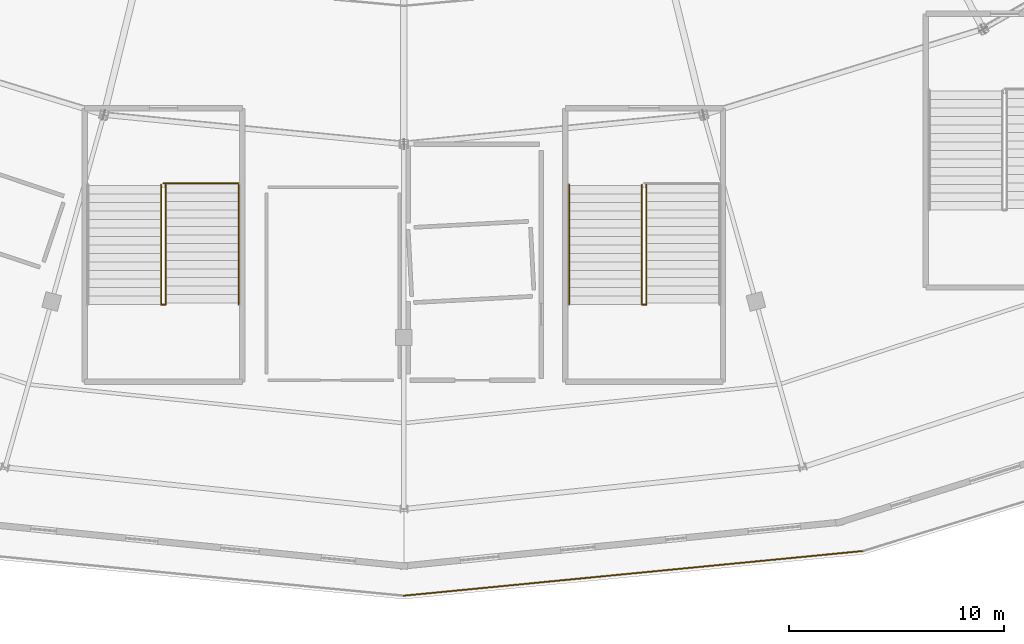
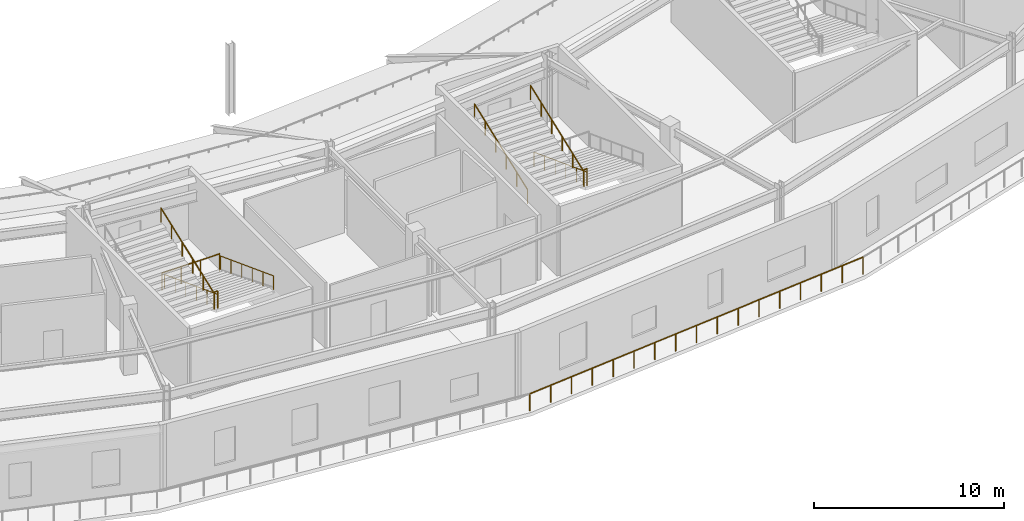
# One storey, part 49 of 63: 10 railings.
"""IFC4 building model written with IfcOpenShell, lengths in metres."""

from ifc_helpers import new_model, si_unit, direction, frame, origin, origin_2d, place, context, subcontext, project, spatial, circle, extrude, material, type_object, element, save


model = new_model("IFC4")

# Units and contexts
model_context = context("Model", 3, precision=1e-05, world=origin(), true_north=direction((0.0, 1.0)))
body_context = subcontext(model_context, "Body", "Model", "MODEL_VIEW")
ifc_project = project(units=[si_unit("LENGTHUNIT", "METRE"), si_unit("AREAUNIT", "SQUARE_METRE"), si_unit("VOLUMEUNIT", "CUBIC_METRE"), si_unit("PLANEANGLEUNIT", "RADIAN"), si_unit("MASSUNIT", "GRAM", prefix="KILO")], contexts=[model_context])

# Site, building, storey
site_placement = place(None, origin())
site = spatial("IfcSite", under=ifc_project, at=site_placement, CompositionType="ELEMENT")
building_placement = place(site_placement, origin())
building = spatial("IfcBuilding", under=site, at=building_placement, Name="Kalgoora Escarpment Arena", CompositionType="ELEMENT")
storey_placement = place(building_placement, frame((0.0, 0.0, 14.39990234375)))
storey = spatial("IfcBuildingStorey", under=building, at=storey_placement, Name="L03", CompositionType="ELEMENT", Elevation=14.39990234375)

# Railings
ifc_material_1 = material(Name="Galvanised & powdercoated tubular steel", Category="steel")
railing_type_1 = type_object("IfcRailingType", Name="RAL-GUARD-1120", PredefinedType="GUARDRAIL", material=ifc_material_1)
railing_1_placement = place(storey_placement, frame((81.300048828125, 16.52001953125, 2.25)))
element("IfcRailing", 1, at=railing_1_placement, inside=storey, type_object=railing_type_1, Name="ST14 L03 half-landing well guard", PredefinedType="GUARDRAIL", context=body_context, shape_type="SweptSolid", body=[
    extrude(circle(Radius=0.02392578125, at=origin_2d()), frame((0.0, 0.0, 1.09619140625), z_axis=(-1.0, 0.0, 0.0), x_axis=(0.0, -1.0, 0.0)), (0.0, 0.0, 1.0), 0.199951171875),
    extrude(circle(Radius=0.02099609375, at=origin_2d()), origin(), (0.0, 0.0, 1.0), 1.072021484375),
    extrude(circle(Radius=0.02099609375, at=origin_2d()), frame((-0.199951171875, 0.0, 0.0)), (0.0, 0.0, 1.0), 1.072021484375),
])
railing_2_placement = place(storey_placement, frame((84.68994140625, 22.18994140625, 0.0)))
element("IfcRailing", 2, at=railing_2_placement, inside=storey, type_object=railing_type_1, Name="ST14 L03 floor landing well guard", PredefinedType="GUARDRAIL", context=body_context, shape_type="SweptSolid", body=[
    extrude(circle(Radius=0.02392578125, at=origin_2d()), frame((0.0, 0.0, 1.09619140625), z_axis=(-1.0, 0.0, 0.0), x_axis=(0.0, -1.0, 0.0)), (0.0, 0.0, 1.0), 3.489990234375),
    extrude(circle(Radius=0.02099609375, at=origin_2d()), origin(), (0.0, 0.0, 1.0), 1.072021484375),
    extrude(circle(Radius=0.02099609375, at=origin_2d()), frame((-1.163330078125, 0.0, 0.0)), (0.0, 0.0, 1.0), 1.072021484375),
    extrude(circle(Radius=0.02099609375, at=origin_2d()), frame((-2.32666015625, 0.0, 0.0)), (0.0, 0.0, 1.0), 1.072021484375),
    extrude(circle(Radius=0.02099609375, at=origin_2d()), frame((-3.489990234375, 0.0, 0.0)), (0.0, 0.0, 1.0), 1.072021484375),
])
railing_3_placement = place(storey_placement, frame((103.695068359375, 16.52001953125, 2.25)))
element("IfcRailing", 3, at=railing_3_placement, inside=storey, type_object=railing_type_1, Name="ST15 L03 half-landing well guard", PredefinedType="GUARDRAIL", context=body_context, shape_type="SweptSolid", body=[
    extrude(circle(Radius=0.02392578125, at=origin_2d()), frame((0.0, 0.0, 1.09619140625), z_axis=(-1.0, 0.0, 0.0), x_axis=(0.0, -1.0, 0.0)), (0.0, 0.0, 1.0), 0.190185546875),
    extrude(circle(Radius=0.02099609375, at=origin_2d()), origin(), (0.0, 0.0, 1.0), 1.072021484375),
    extrude(circle(Radius=0.02099609375, at=origin_2d()), frame((-0.190185546875, 0.0, 0.0)), (0.0, 0.0, 1.0), 1.072021484375),
])
ifc_material_2 = material(Name="Brushed stainless steel 316 handrail", Category="steel")
railing_type_2 = type_object("IfcRailingType", Name="RAL-HAND-920", PredefinedType="HANDRAIL", material=ifc_material_2)
for number, where, name in (
    (4, (84.699951171875, 22.110107421875, 0.110107421875), "ST14 L03 pitched stair handrail F1L"),
    (5, (81.31005859375, 22.110107421875, 0.110107421875), "ST14 L03 pitched stair handrail F1R"),
):
    element("IfcRailing", number, at=place(storey_placement, frame(where)), inside=storey, type_object=railing_type_2, Name=name, PredefinedType="HANDRAIL", context=body_context, shape_type="SweptSolid", body=[
        extrude(circle(Radius=0.02392578125, at=origin_2d()), frame((0.0, 0.0, 0.89599609375), z_axis=(0.0, -0.935492612948, 0.353346248203), x_axis=(1.0, 0.0, 0.0)), (0.0, 0.0, 1.0), 5.943359375),
        extrude(circle(Radius=0.02099609375, at=origin_2d()), origin(), (0.0, 0.0, 1.0), 0.871826171875),
        extrude(circle(Radius=0.02099609375, at=origin_2d()), frame((0.0, -1.112060546875, 0.419921875)), (0.0, 0.0, 1.0), 0.871826171875),
        extrude(circle(Radius=0.02099609375, at=origin_2d()), frame((0.0, -2.22412109375, 0.840087890625)), (0.0, 0.0, 1.0), 0.871826171875),
        extrude(circle(Radius=0.02099609375, at=origin_2d()), frame((0.0, -3.3359375, 1.260009765625)), (0.0, 0.0, 1.0), 0.871826171875),
        extrude(circle(Radius=0.02099609375, at=origin_2d()), frame((0.0, -4.447998046875, 1.68017578125)), (0.0, 0.0, 1.0), 0.871826171875),
        extrude(circle(Radius=0.02099609375, at=origin_2d()), frame((0.0, -5.56005859375, 2.10009765625)), (0.0, 0.0, 1.0), 0.871826171875),
    ])
railing_4_placement = place(storey_placement, frame((81.090087890625, 16.550048828125, 2.360107421875)))
element("IfcRailing", 6, at=railing_4_placement, inside=storey, type_object=railing_type_2, Name="ST14 L03 pitched stair handrail F2L", PredefinedType="HANDRAIL", context=body_context, shape_type="SweptSolid", body=[
    extrude(circle(Radius=0.02392578125, at=origin_2d()), frame((0.0, 0.0, 0.89599609375), z_axis=(0.0, 0.935492612948, 0.353346248203), x_axis=(-1.0, 0.0, 0.0)), (0.0, 0.0, 1.0), 5.943359375),
    extrude(circle(Radius=0.02099609375, at=origin_2d()), origin(), (0.0, 0.0, 1.0), 0.871826171875),
    extrude(circle(Radius=0.02099609375, at=origin_2d()), frame((0.0, 1.112060546875, 0.419921875)), (0.0, 0.0, 1.0), 0.871826171875),
    extrude(circle(Radius=0.02099609375, at=origin_2d()), frame((0.0, 2.22412109375, 0.840087890625)), (0.0, 0.0, 1.0), 0.871826171875),
    extrude(circle(Radius=0.02099609375, at=origin_2d()), frame((0.0, 3.3359375, 1.260009765625)), (0.0, 0.0, 1.0), 0.871826171875),
    extrude(circle(Radius=0.02099609375, at=origin_2d()), frame((0.0, 4.447998046875, 1.68017578125)), (0.0, 0.0, 1.0), 0.871826171875),
    extrude(circle(Radius=0.02099609375, at=origin_2d()), frame((0.0, 5.56005859375, 2.10009765625)), (0.0, 0.0, 1.0), 0.871826171875),
])
railing_5_placement = place(storey_placement, frame((103.705078125, 22.110107421875, 0.110107421875)))
element("IfcRailing", 7, at=railing_5_placement, inside=storey, type_object=railing_type_2, Name="ST15 L03 pitched stair handrail F1R", PredefinedType="HANDRAIL", context=body_context, shape_type="SweptSolid", body=[
    extrude(circle(Radius=0.02392578125, at=origin_2d()), frame((0.0, 0.0, 0.89599609375), z_axis=(0.0, -0.935492612948, 0.353346248203), x_axis=(1.0, 0.0, 0.0)), (0.0, 0.0, 1.0), 5.943359375),
    extrude(circle(Radius=0.02099609375, at=origin_2d()), origin(), (0.0, 0.0, 1.0), 0.871826171875),
    extrude(circle(Radius=0.02099609375, at=origin_2d()), frame((0.0, -1.112060546875, 0.419921875)), (0.0, 0.0, 1.0), 0.871826171875),
    extrude(circle(Radius=0.02099609375, at=origin_2d()), frame((0.0, -2.22412109375, 0.840087890625)), (0.0, 0.0, 1.0), 0.871826171875),
    extrude(circle(Radius=0.02099609375, at=origin_2d()), frame((0.0, -3.3359375, 1.260009765625)), (0.0, 0.0, 1.0), 0.871826171875),
    extrude(circle(Radius=0.02099609375, at=origin_2d()), frame((0.0, -4.447998046875, 1.68017578125)), (0.0, 0.0, 1.0), 0.871826171875),
    extrude(circle(Radius=0.02099609375, at=origin_2d()), frame((0.0, -5.56005859375, 2.10009765625)), (0.0, 0.0, 1.0), 0.871826171875),
])
for number, where, name in (
    (8, (103.4951171875, 16.550048828125, 2.360107421875), "ST15 L03 pitched stair handrail F2L"),
    (9, (100.10009765625, 16.550048828125, 2.360107421875), "ST15 L03 pitched stair handrail F2R"),
):
    element("IfcRailing", number, at=place(storey_placement, frame(where)), inside=storey, type_object=railing_type_2, Name=name, PredefinedType="HANDRAIL", context=body_context, shape_type="SweptSolid", body=[
        extrude(circle(Radius=0.02392578125, at=origin_2d()), frame((0.0, 0.0, 0.89599609375), z_axis=(0.0, 0.935492612948, 0.353346248203), x_axis=(-1.0, 0.0, 0.0)), (0.0, 0.0, 1.0), 5.943359375),
        extrude(circle(Radius=0.02099609375, at=origin_2d()), origin(), (0.0, 0.0, 1.0), 0.871826171875),
        extrude(circle(Radius=0.02099609375, at=origin_2d()), frame((0.0, 1.112060546875, 0.419921875)), (0.0, 0.0, 1.0), 0.871826171875),
        extrude(circle(Radius=0.02099609375, at=origin_2d()), frame((0.0, 2.22412109375, 0.840087890625)), (0.0, 0.0, 1.0), 0.871826171875),
        extrude(circle(Radius=0.02099609375, at=origin_2d()), frame((0.0, 3.3359375, 1.260009765625)), (0.0, 0.0, 1.0), 0.871826171875),
        extrude(circle(Radius=0.02099609375, at=origin_2d()), frame((0.0, 4.447998046875, 1.68017578125)), (0.0, 0.0, 1.0), 0.871826171875),
        extrude(circle(Radius=0.02099609375, at=origin_2d()), frame((0.0, 5.56005859375, 2.10009765625)), (0.0, 0.0, 1.0), 0.871826171875),
    ])
ifc_material_3 = material(Name="Champagne anodised aluminium & laminated glass", Category="aluminium")
railing_type_3 = type_object("IfcRailingType", Name="RAL-TERR-1100", PredefinedType="GUARDRAIL", material=ifc_material_3)
railing_6_placement = place(storey_placement, frame((113.798583984375, 5.04296875, 0.0)))
element("IfcRailing", 10, at=railing_6_placement, inside=storey, type_object=railing_type_3, Name="Upper Planted Elliptical Garden Terrace perimeter guardrail 009", PredefinedType="GUARDRAIL", context=body_context, shape_type="SweptSolid", body=[
    extrude(circle(Radius=0.02392578125, at=origin_2d()), frame((0.0, 0.0, 1.09619140625), z_axis=(-0.995298879649, -0.096851123738, 0.0), x_axis=(0.096851123738, -0.995298879649, 0.0)), (0.0, 0.0, 1.0), 21.499755859375),
    extrude(circle(Radius=0.02099609375, at=origin_2d()), origin(), (0.0, 0.0, 1.0), 1.072021484375),
    extrude(circle(Radius=0.02099609375, at=origin_2d()), frame((-1.33740234375, -0.130126953125, 0.0)), (0.0, 0.0, 1.0), 1.072021484375),
    extrude(circle(Radius=0.02099609375, at=origin_2d()), frame((-2.6748046875, -0.26025390625, 0.0)), (0.0, 0.0, 1.0), 1.072021484375),
    extrude(circle(Radius=0.02099609375, at=origin_2d()), frame((-4.01220703125, -0.390380859375, 0.0)), (0.0, 0.0, 1.0), 1.072021484375),
    extrude(circle(Radius=0.02099609375, at=origin_2d()), frame((-5.349609375, -0.5205078125, 0.0)), (0.0, 0.0, 1.0), 1.072021484375),
    extrude(circle(Radius=0.02099609375, at=origin_2d()), frame((-6.68701171875, -0.650634765625, 0.0)), (0.0, 0.0, 1.0), 1.072021484375),
    extrude(circle(Radius=0.02099609375, at=origin_2d()), frame((-8.0244140625, -0.78076171875, 0.0)), (0.0, 0.0, 1.0), 1.072021484375),
    extrude(circle(Radius=0.02099609375, at=origin_2d()), frame((-9.36181640625, -0.910888671875, 0.0)), (0.0, 0.0, 1.0), 1.072021484375),
    extrude(circle(Radius=0.02099609375, at=origin_2d()), frame((-10.69921875, -1.041015625, 0.0)), (0.0, 0.0, 1.0), 1.072021484375),
    extrude(circle(Radius=0.02099609375, at=origin_2d()), frame((-12.036865234375, -1.17138671875, 0.0)), (0.0, 0.0, 1.0), 1.072021484375),
    extrude(circle(Radius=0.02099609375, at=origin_2d()), frame((-13.374267578125, -1.301513671875, 0.0)), (0.0, 0.0, 1.0), 1.072021484375),
    extrude(circle(Radius=0.02099609375, at=origin_2d()), frame((-14.711669921875, -1.431640625, 0.0)), (0.0, 0.0, 1.0), 1.072021484375),
    extrude(circle(Radius=0.02099609375, at=origin_2d()), frame((-16.049072265625, -1.561767578125, 0.0)), (0.0, 0.0, 1.0), 1.072021484375),
    extrude(circle(Radius=0.02099609375, at=origin_2d()), frame((-17.386474609375, -1.69189453125, 0.0)), (0.0, 0.0, 1.0), 1.072021484375),
    extrude(circle(Radius=0.02099609375, at=origin_2d()), frame((-18.723876953125, -1.822021484375, 0.0)), (0.0, 0.0, 1.0), 1.072021484375),
    extrude(circle(Radius=0.02099609375, at=origin_2d()), frame((-20.061279296875, -1.9521484375, 0.0)), (0.0, 0.0, 1.0), 1.072021484375),
    extrude(circle(Radius=0.02099609375, at=origin_2d()), frame((-21.398681640625, -2.082275390625, 0.0)), (0.0, 0.0, 1.0), 1.072021484375),
])

save(model, "model.ifc")
